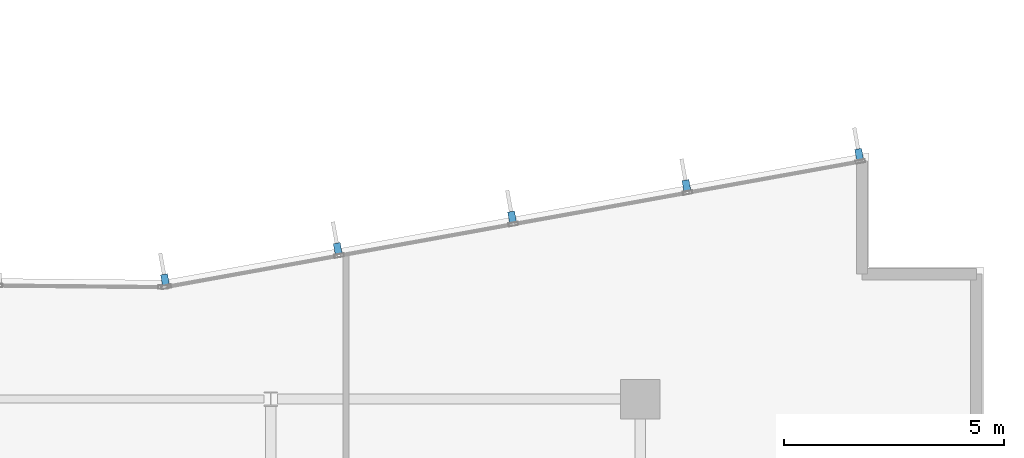
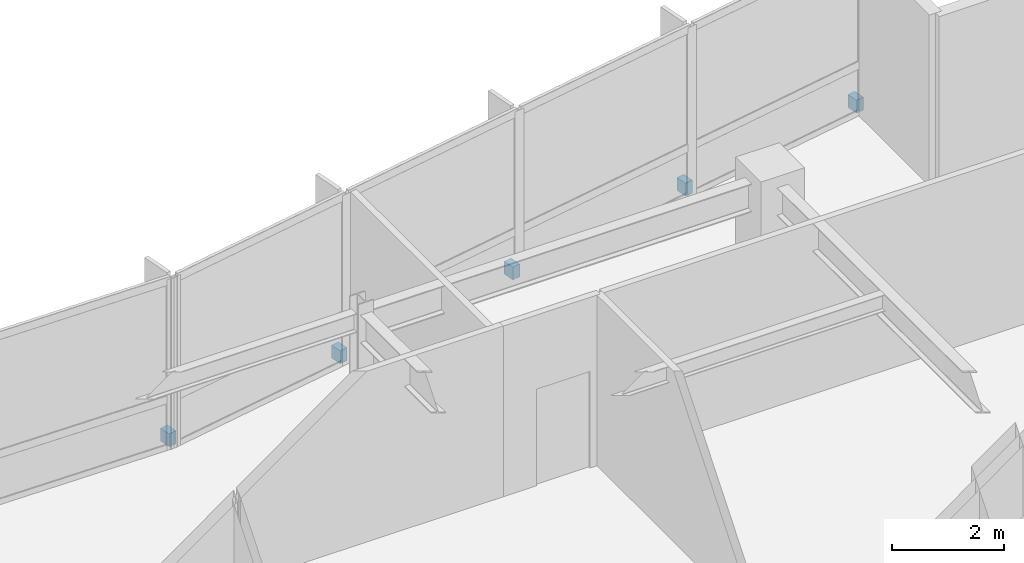
# One storey, part 14 of 19: 5 discrete accessories.
"""IFC4 building model written with IfcOpenShell, lengths in metres."""

from ifc_helpers import new_model, si_unit, direction, frame, origin, origin_2d, place, context, subcontext, project, spatial, rectangle, extrude, material, type_object, element, save


model = new_model("IFC4")

# Units and contexts
model_context = context("Model", 3, precision=1e-05, world=origin(), true_north=direction((0.0, 1.0)))
body_context = subcontext(model_context, "Body", "Model", "MODEL_VIEW")
ifc_project = project(units=[si_unit("LENGTHUNIT", "METRE"), si_unit("AREAUNIT", "SQUARE_METRE"), si_unit("VOLUMEUNIT", "CUBIC_METRE"), si_unit("PLANEANGLEUNIT", "RADIAN"), si_unit("MASSUNIT", "GRAM", prefix="KILO")], contexts=[model_context])

# Site, building, storey
site_placement = place(None, origin())
site = spatial("IfcSite", under=ifc_project, at=site_placement, CompositionType="ELEMENT")
building_placement = place(site_placement, origin())
building = spatial("IfcBuilding", under=site, at=building_placement, Name="Varnakote Quay Hospital", CompositionType="ELEMENT")
storey_placement = place(building_placement, frame((0.0, 0.0, 89.64990234375)))
storey = spatial("IfcBuildingStorey", under=building, at=storey_placement, Name="L22", CompositionType="ELEMENT", Elevation=89.64990234375)

# Discrete accessories
ifc_material = material(Name="Anodised aluminium 6063-T6 Bronze", Category="aluminium")
discrete_accessory_type = type_object("IfcDiscreteAccessoryType", Name="ACC-FIN-BRACKET-180", PredefinedType="BRACKET", material=ifc_material)
for number, where, z_axis, x_axis, name in (
    (1, (55.372802734375, 34.369140625, 0.0), (0.0, 0.0, 1.0), (-0.984071739666, -0.177771795263, 0.0), "L22 Curtain Wall Fin Fixing Bracket"),
    (2, (51.447265625, 33.65966796875, 0.0), (0.0, 0.0, 1.0), (-0.984071739666, -0.177771795263, 0.0), "L22 Curtain Wall Fin Fixing Bracket"),
    (3, (47.484619140625, 32.943603515625, 0.0), (0.0, 0.0, 1.0), (-0.984071739666, -0.177771795263, 0.0), "L22 Curtain Wall Fin Fixing Bracket"),
    (4, (43.52197265625, 32.227294921875, 0.0), (0.0, 0.0, 1.0), (-0.984071739666, -0.177771795263, 0.0), "L22 Curtain Wall Fin Fixing Bracket"),
    (5, (39.59619140625, 31.517822265625, 0.0), (0.0, 0.0, 1.0), (-0.984071739666, -0.177771795263, 0.0), "L22 Curtain Wall Fin Fixing Bracket"),
):
    element("IfcDiscreteAccessory", number, at=place(storey_placement, frame(where, z_axis=z_axis, x_axis=x_axis)), inside=storey, type_object=discrete_accessory_type, Name=name, PredefinedType="BRACKET", context=body_context, shape_type="SweptSolid", body=[
        extrude(rectangle(XDim=0.159912109375, YDim=0.239990234375, at=origin_2d()), origin(), (0.0, 0.0, 1.0), 0.280029296875),
    ])

save(model, "model.ifc")
